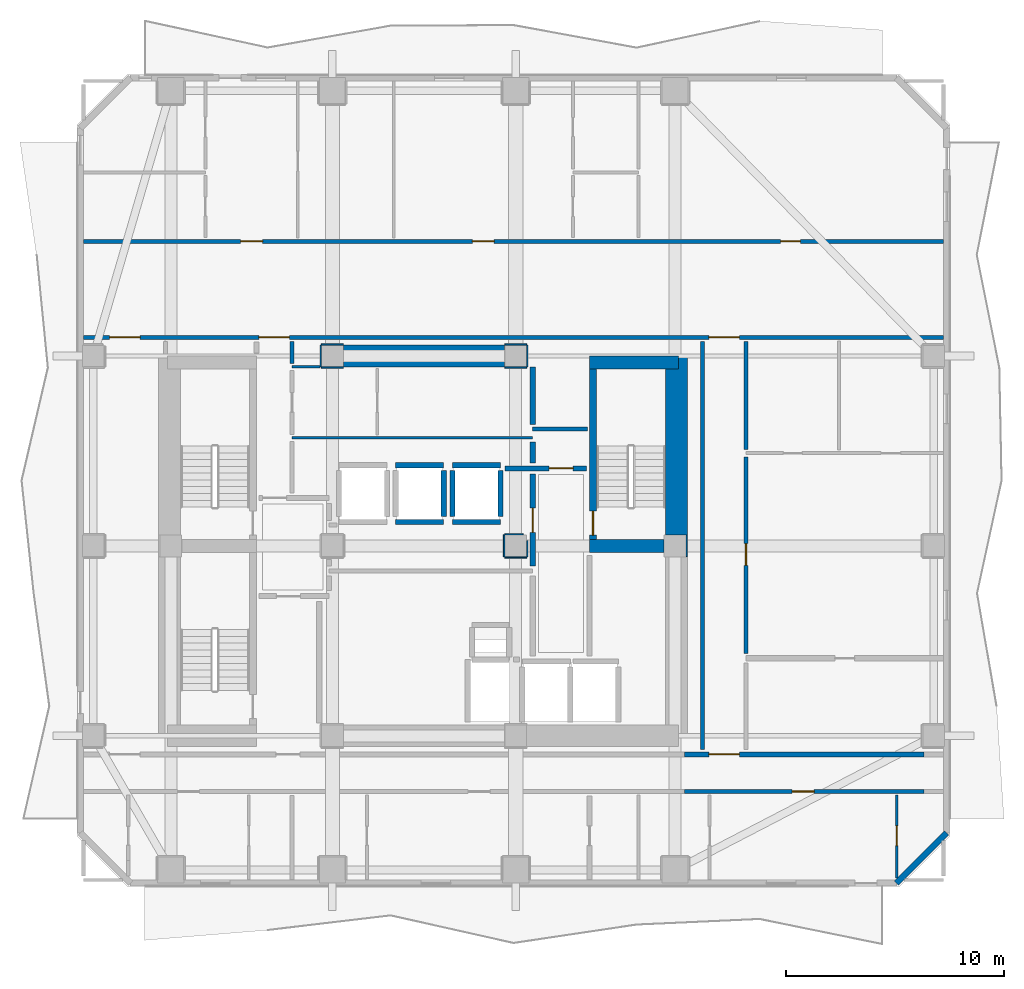
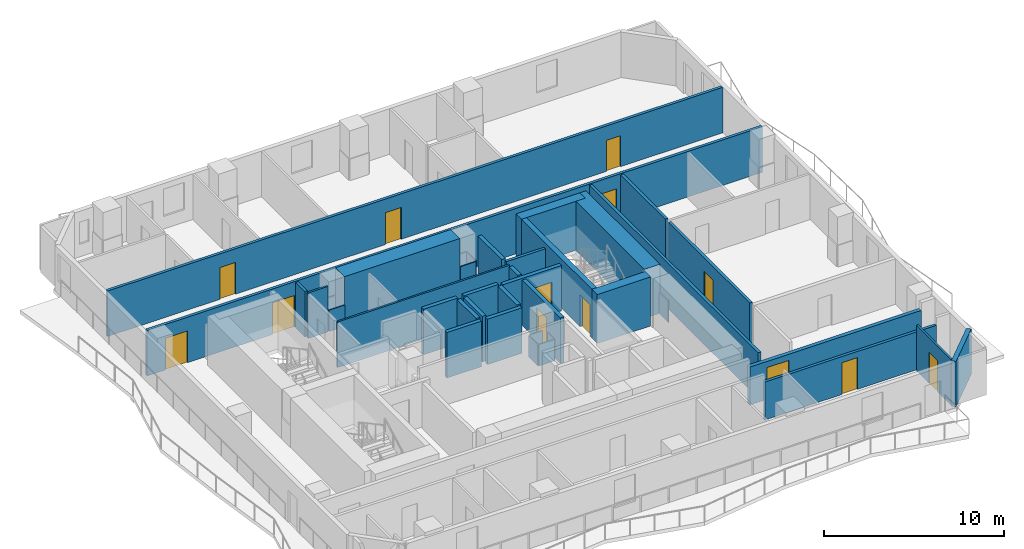
# One storey, part 4 of 9: 40 walls, 13 doors, 13 openings.
"""IFC4 building model written with IfcOpenShell, lengths in metres."""

import ifcopenshell
import ifcopenshell.guid

model = None  # the IFC model being written
_history = None  # IfcOwnerHistory: only IFC2X3 demands one
_inside = {}  # id of a spatial element -> (the spatial element, [elements in it])
_under = {}  # id of a project, library or spatial element -> (it, [spatial elements below it])
_declared = {}  # id of a project -> (the project, [libraries it declares])
_typed = {}  # id of a type object -> (the type object, [elements of that type])
_made_of = {}  # id of a material, layer set ... -> (it, [elements and type objects made of it])


def new_model(schema):
    """Start an empty IFC model of exactly this schema.

    Asked for "IFC4X3", IfcOpenShell would pick the latest addendum, in which some entities
    have other attributes; the version numbers below select the first issue.
    IFC2X3 requires an IfcOwnerHistory on every rooted entity: one is made here for all.
    """
    global model, _history
    if schema == "IFC4X3":
        model = ifcopenshell.file(schema_version=(4, 3, 0, 0))
    else:
        model = ifcopenshell.file(schema=schema)
    _inside.clear()
    _under.clear()
    _declared.clear()
    _typed.clear()
    _made_of.clear()
    _history = None
    if model.schema == "IFC2X3":
        org = make("IfcOrganization", Name="unknown")
        user = make(
            "IfcPersonAndOrganization",
            ThePerson=make("IfcPerson", FamilyName="unknown"),
            TheOrganization=org,
        )
        app = make(
            "IfcApplication",
            ApplicationDeveloper=org,
            Version="unknown",
            ApplicationFullName="unknown",
            ApplicationIdentifier="unknown",
        )
        _history = make(
            "IfcOwnerHistory",
            OwningUser=user,
            OwningApplication=app,
            ChangeAction="ADDED",
            CreationDate=0,
        )
    return model


def make(cls, **values):
    """One entity of the class cls with the attributes given. An attribute that is None is left unset."""
    return model.create_entity(
        cls, **{name: value for name, value in values.items() if value is not None}
    )


def rooted(cls, **values):
    """An entity with a GlobalId (a new one), such as an element, a storey or a relation."""
    return make(cls, GlobalId=ifcopenshell.guid.new(), OwnerHistory=_history, **values)


def si_unit(unit_type, name, prefix=None):
    """IfcSIUnit, for example si_unit("LENGTHUNIT", "METRE", prefix="MILLI")."""
    return make("IfcSIUnit", UnitType=unit_type, Prefix=prefix, Name=name)


def assignment(units):
    """IfcUnitAssignment: the units of a project."""
    return None if units is None else make("IfcUnitAssignment", Units=units)


def point(xyz):
    """IfcCartesianPoint."""
    return None if xyz is None else make("IfcCartesianPoint", Coordinates=xyz)


def direction(xyz):
    """IfcDirection."""
    return None if xyz is None else make("IfcDirection", DirectionRatios=xyz)


def frame(location, z_axis=None, x_axis=None):
    """IfcAxis2Placement3D, a coordinate frame: its origin and axes. An axis left out is left unset."""
    return make(
        "IfcAxis2Placement3D",
        Location=point(location),
        Axis=direction(z_axis),
        RefDirection=direction(x_axis),
    )


def frame_2d(location, x_axis=None):
    """IfcAxis2Placement2D, a coordinate frame in the plane: its origin and x axis."""
    return make(
        "IfcAxis2Placement2D", Location=point(location), RefDirection=direction(x_axis)
    )


def origin():
    """The frame at (0, 0, 0) with its axes left unset."""
    return frame((0.0, 0.0, 0.0))


def place(relative_to, where):
    """IfcLocalPlacement: puts the frame where relative to a parent placement (None: the world)."""
    return make(
        "IfcLocalPlacement", PlacementRelTo=relative_to, RelativePlacement=where
    )


def context(
    kind, dimensions, precision=None, world=None, true_north=None, identifier=None
):
    """IfcGeometricRepresentationContext, for example the 3D "Model" context."""
    return make(
        "IfcGeometricRepresentationContext",
        ContextIdentifier=identifier,
        ContextType=kind,
        CoordinateSpaceDimension=dimensions,
        Precision=precision,
        WorldCoordinateSystem=world,
        TrueNorth=true_north,
    )


def subcontext(parent, identifier, kind, view, scale=None):
    """IfcGeometricRepresentationSubContext, for example "Body" below "Model"."""
    return make(
        "IfcGeometricRepresentationSubContext",
        ContextIdentifier=identifier,
        ContextType=kind,
        ParentContext=parent,
        TargetScale=scale,
        TargetView=view,
    )


def project(units=None, contexts=None):
    """IfcProject with its units and contexts."""
    return rooted(
        "IfcProject",
        Name="project",
        RepresentationContexts=contexts,
        UnitsInContext=assignment(units),
    )


def spatial(cls, under=None, at=None, **own):
    """A site, building, storey or space (cls), placed at a placement, below another one or the project."""
    s = rooted(cls, ObjectPlacement=at, **own)
    if under is not None:
        _under.setdefault(under.id(), (under, []))[1].append(s)
    return s


def profile(cls, at=None, kind="AREA", **sizes):
    """A parametric profile (cls). Its sizes go by their IFC names, for example OverallWidth=200.0."""
    return make(cls, ProfileType=kind, Position=at, **sizes)


def rectangle(**sizes):
    """IfcRectangleProfileDef."""
    return profile("IfcRectangleProfileDef", **sizes)


def extrude(swept, where, along, depth):
    """IfcExtrudedAreaSolid: the profile swept, set in the frame where, extruded along a direction by depth."""
    return make(
        "IfcExtrudedAreaSolid",
        SweptArea=swept,
        Position=where,
        ExtrudedDirection=direction(along),
        Depth=depth,
    )


def shape(context_of_items, identifier, shape_type, items):
    """IfcShapeRepresentation: the items that make up one representation, for example the "Body"."""
    return make(
        "IfcShapeRepresentation",
        ContextOfItems=context_of_items,
        RepresentationIdentifier=identifier,
        RepresentationType=shape_type,
        Items=items,
    )


def material(Name=None, Category=None):
    """IfcMaterial."""
    return make("IfcMaterial", Name=Name, Category=Category)


def layer(
    of_material, thickness, ventilated=None, Name=None, Category=None, Priority=None
):
    """IfcMaterialLayer: one layer of a wall or slab, of a material (None: an air gap)."""
    return make(
        "IfcMaterialLayer",
        Material=of_material,
        LayerThickness=thickness,
        IsVentilated=ventilated,
        Name=Name,
        Category=Category,
        Priority=Priority,
    )


def layer_set(layers, Name=None):
    """IfcMaterialLayerSet."""
    return make("IfcMaterialLayerSet", MaterialLayers=layers, LayerSetName=Name)


def made_of(thing, what):
    """Note that an element or type object is made of a material, layer set ...; save() writes the relation."""
    if what is not None:
        _made_of.setdefault(what.id(), (what, []))[1].append(thing)
    return thing


def type_object(cls, material=None, **own):
    """A type object (cls), such as IfcWallType, which elements share."""
    return made_of(rooted(cls, **own), material)


def element(
    cls,
    number,
    at=None,
    inside=None,
    cuts=None,
    type_object=None,
    material=None,
    context=None,
    identifier="Body",
    shape_type=None,
    held_by="IfcProductDefinitionShape",
    body=None,
    shapes=None,
    **own,
):
    """One element of the class cls, such as IfcWall. Its Tag is "e" and its number.

    at: its placement. inside: the storey or other place that contains it. cuts: it is an
    opening in that element (IfcRelVoidsElement). A single representation is given by context,
    identifier, shape_type and body (its items); several are given by shapes. held_by: the class
    of the entity that holds the representations. save() writes the other relations.
    """
    e = rooted(cls, Tag="e%d" % number, ObjectPlacement=at, **own)
    if body is not None:
        shapes = [shape(context, identifier, shape_type, body)]
    if shapes is not None:
        e.Representation = make(held_by, Representations=shapes)
    if inside is not None:
        _inside.setdefault(inside.id(), (inside, []))[1].append(e)
    if cuts is not None:
        rooted(
            "IfcRelVoidsElement", RelatingBuildingElement=cuts, RelatedOpeningElement=e
        )
    if type_object is not None:
        _typed.setdefault(type_object.id(), (type_object, []))[1].append(e)
    return made_of(e, material)


def fill(opening, filler):
    """IfcRelFillsElement: the door or window that sits in an opening."""
    return rooted(
        "IfcRelFillsElement",
        RelatingOpeningElement=opening,
        RelatedBuildingElement=filler,
    )


def aggregate(whole, parts):
    """IfcRelAggregates: a whole, such as a stair, and the parts it consists of."""
    return rooted("IfcRelAggregates", RelatingObject=whole, RelatedObjects=parts)


def save(model, path):
    """Write the relations noted so far, then the file.

    IfcRelAggregates (storeys below a building ...), IfcRelContainedInSpatialStructure (elements
    in a storey), IfcRelDefinesByType, IfcRelAssociatesMaterial and IfcRelDeclares: one each for
    every whole, place, type object, material and project.
    """
    for whole, parts in _under.values():
        aggregate(whole, parts)
    for where, things in _inside.values():
        rooted(
            "IfcRelContainedInSpatialStructure",
            RelatedElements=things,
            RelatingStructure=where,
        )
    for kind, things in _typed.values():
        rooted("IfcRelDefinesByType", RelatedObjects=things, RelatingType=kind)
    for what, things in _made_of.values():
        rooted("IfcRelAssociatesMaterial", RelatedObjects=things, RelatingMaterial=what)
    for by, libraries in _declared.values():
        rooted("IfcRelDeclares", RelatingContext=by, RelatedDefinitions=libraries)
    model.write(path)


model = new_model("IFC4")

# Units and contexts
model_context = context("Model", 3, precision=1e-05, world=origin(), true_north=direction((0.0, 1.0)))
body_context = subcontext(model_context, "Body", "Model", "MODEL_VIEW")
ifc_project = project(units=[si_unit("LENGTHUNIT", "METRE"), si_unit("AREAUNIT", "SQUARE_METRE"), si_unit("VOLUMEUNIT", "CUBIC_METRE"), si_unit("PLANEANGLEUNIT", "RADIAN"), si_unit("MASSUNIT", "GRAM", prefix="KILO")], contexts=[model_context])

# Site, building, storey
site_placement = place(None, origin())
site = spatial("IfcSite", under=ifc_project, at=site_placement, CompositionType="ELEMENT")
building_placement = place(site_placement, origin())
building = spatial("IfcBuilding", under=site, at=building_placement, Name="Solanera Arch Residences", CompositionType="ELEMENT")
storey_placement = place(building_placement, frame((0.0, 0.0, 152.56005859375)))
storey = spatial("IfcBuildingStorey", under=building, at=storey_placement, Name="L44", CompositionType="ELEMENT", Elevation=152.56005859375)

# Walls
ifc_material_1 = material(Name="Fire-Rated Gypsum Stud Partition", Category="gypsum")
ifc_layer_1 = layer(ifc_material_1, 0.06005859375)
ifc_layer_set_1 = layer_set([ifc_layer_1], Name="Fire-Rated Gypsum Stud Partition")
wall_type_1 = type_object("IfcWallType", Name="Column Acoustic Furring Wall 60", PredefinedType="PARTITIONING", material=ifc_layer_set_1)
for number, where, z_axis, x_axis, name in (
    (1, (20.300048828125, 38.867919921875, 0.0), (0.0, 0.0, 1.0), (1.0, 0.0, 0.0), "L44 Column Furring 3S"),
    (2, (20.300048828125, 39.931884765625, 0.0), (0.0, 0.0, 1.0), (1.0, 0.0, 0.0), "L44 Column Furring 3N"),
    (3, (20.26806640625, 38.89990234375, 0.0), (0.0, 0.0, 1.0), (0.0, 1.0, 0.0), "L44 Column Furring 3W"),
    (4, (28.699951171875, 38.867919921875, 0.0), (0.0, 0.0, 1.0), (1.0, 0.0, 0.0), "L44 Column Furring 4S"),
    (5, (28.699951171875, 39.931884765625, 0.0), (0.0, 0.0, 1.0), (1.0, 0.0, 0.0), "L44 Column Furring 4N"),
    (6, (29.73193359375, 38.89990234375, 0.0), (0.0, 0.0, 1.0), (0.0, 1.0, 0.0), "L44 Column Furring 4E"),
):
    element("IfcWall", number, at=place(storey_placement, frame(where, z_axis=z_axis, x_axis=x_axis)), inside=storey, type_object=wall_type_1, Name=name, PredefinedType="PARTITIONING", context=body_context, shape_type="SweptSolid", body=[
        extrude(rectangle(XDim=1.0, YDim=0.06005859375, at=frame_2d((0.5, 0.0))), origin(), (0.0, 0.0, 1.0), 1.449951171875),
    ])
wall_1_placement = place(storey_placement, frame((37.031982421875, 30.2099609375, 0.0), z_axis=(0.0, 0.0, 1.0), x_axis=(0.0, 1.0, 0.0)))
element("IfcWall", 7, at=wall_1_placement, inside=storey, type_object=wall_type_1, Name="L44 Column Furring 6E", PredefinedType="PARTITIONING", context=body_context, shape_type="SweptSolid", body=[
    extrude(rectangle(XDim=0.97998046875, YDim=0.06005859375, at=frame_2d((0.489990234375, 0.0))), origin(), (0.0, 0.0, 1.0), 1.449951171875),
])
wall_2_placement = place(storey_placement, frame((28.699951171875, 30.16796875, 0.0), z_axis=(0.0, 0.0, 1.0), x_axis=(1.0, 0.0, 0.0)))
element("IfcWall", 8, at=wall_2_placement, inside=storey, type_object=wall_type_1, Name="L44 Column Furring 8S", PredefinedType="PARTITIONING", context=body_context, shape_type="SweptSolid", body=[
    extrude(rectangle(XDim=1.0, YDim=0.06005859375, at=frame_2d((0.5, 0.0))), origin(), (0.0, 0.0, 1.0), 1.449951171875),
])
wall_3_placement = place(storey_placement, frame((28.699951171875, 31.23193359375, 0.0), z_axis=(0.0, 0.0, 1.0), x_axis=(1.0, 0.0, 0.0)))
element("IfcWall", 9, at=wall_3_placement, inside=storey, type_object=wall_type_1, Name="L44 Column Furring 8N", PredefinedType="PARTITIONING", context=body_context, shape_type="SweptSolid", body=[
    extrude(rectangle(XDim=0.8349609375, YDim=0.06005859375, at=frame_2d((0.41748046875, 0.0))), origin(), (0.0, 0.0, 1.0), 1.449951171875),
])
wall_4_placement = place(storey_placement, frame((28.66796875, 30.199951171875, 0.0), z_axis=(0.0, 0.0, 1.0), x_axis=(0.0, 1.0, 0.0)))
element("IfcWall", 10, at=wall_4_placement, inside=storey, type_object=wall_type_1, Name="L44 Column Furring 8W", PredefinedType="PARTITIONING", context=body_context, shape_type="SweptSolid", body=[
    extrude(rectangle(XDim=1.0, YDim=0.06005859375, at=frame_2d((0.5, 0.0))), origin(), (0.0, 0.0, 1.0), 1.449951171875),
])
wall_5_placement = place(storey_placement, frame((29.73193359375, 30.199951171875, 0.0), z_axis=(0.0, 0.0, 1.0), x_axis=(0.0, 1.0, 0.0)))
element("IfcWall", 11, at=wall_5_placement, inside=storey, type_object=wall_type_1, Name="L44 Column Furring 8E", PredefinedType="PARTITIONING", context=body_context, shape_type="SweptSolid", body=[
    extrude(rectangle(XDim=0.7470703125, YDim=0.06005859375, at=frame_2d((0.37353515625, 0.0))), origin(), (0.0, 0.0, 1.0), 1.449951171875),
])
ifc_material_2 = material(Name="Concrete C55/67 (f'c = 60 MPa)", Category="concrete")
ifc_layer_2 = layer(ifc_material_2, 1.0)
ifc_layer_set_2 = layer_set([ifc_layer_2], Name="Concrete C55/67 (f'c = 60 MPa)")
wall_type_2 = type_object("IfcWallType", Name="Core Shear Wall CW-1000", PredefinedType="SHEAR", material=ifc_layer_set_2)
wall_6_placement = place(storey_placement, frame((36.56005859375, 31.205078125, 0.0), z_axis=(0.0, 0.0, 1.0), x_axis=(0.0, 1.0, 0.0)))
element("IfcWall", 12, at=wall_6_placement, inside=storey, type_object=wall_type_2, Name="L44 East Core North Shear Wall", PredefinedType="SHEAR", context=body_context, shape_type="SweptSolid", body=[
    extrude(rectangle(XDim=8.19482421875, YDim=1.0, at=frame_2d((4.097412109375, 0.0))), origin(), (0.0, 0.0, 1.0), 3.31982421875),
])
wall_7_placement = place(storey_placement, frame((21.304931640625, 39.39990234375, 0.0), z_axis=(0.0, 0.0, 1.0), x_axis=(1.0, 0.0, 0.0)))
element("IfcWall", 13, at=wall_7_placement, inside=storey, type_object=wall_type_2, Name="L44 Central North Core Shear Wall", PredefinedType="SHEAR", context=body_context, shape_type="SweptSolid", body=[
    extrude(rectangle(XDim=7.39013671875, YDim=1.0, at=frame_2d((3.695068359375, 0.0))), origin(), (0.0, 0.0, 1.0), 3.31982421875),
])

# Wall, opening, door
ifc_material_3 = material(Name="Concrete C40/50 (f'c = 45 MPa)", Category="concrete")
ifc_layer_3 = layer(ifc_material_3, 0.320068359375)
ifc_layer_set_3 = layer_set([ifc_layer_3], Name="Concrete C40/50 (f'c = 45 MPa)")
wall_type_3 = type_object("IfcWallType", Name="Core Shear Wall CW-320", PredefinedType="SHEAR", material=ifc_layer_set_3)
wall_8_placement = place(storey_placement, frame((32.739990234375, 31.0, 0.0), z_axis=(0.0, 0.0, 1.0), x_axis=(0.0, 1.0, 0.0)))
wall_8 = element("IfcWall", 14, at=wall_8_placement, inside=storey, type_object=wall_type_3, Name="L44 Stair ST-T2 West Shear Wall", PredefinedType="SHEAR", context=body_context, shape_type="SweptSolid", body=[
    extrude(rectangle(XDim=7.800048828125, YDim=0.320068359375, at=frame_2d((3.89990234375, 0.0))), origin(), (0.0, 0.0, 1.0), 3.31982421875),
])
opening_1_placement = place(wall_8_placement, frame((0.18994140625, 0.0, 0.0)))
opening_1 = element("IfcOpeningElement", 15, at=opening_1_placement, cuts=wall_8, Name="Opening DF-01", PredefinedType="OPENING", context=body_context, shape_type="SweptSolid", body=[
    extrude(rectangle(XDim=1.10009765625, YDim=2.14990234375, at=frame_2d((0.550048828125, 1.074951171875))), frame((0.0, 0.169921875, 0.0), z_axis=(0.0, -1.0, 0.0), x_axis=(1.0, 0.0, 0.0)), (0.0, 0.0, 1.0), 0.3401),
])
ifc_material_4 = material(Name="Fire-Rated Architectural Hardwood", Category="wood")
door_type_1 = type_object("IfcDoorType", Name="Stair Exit Fire Door DF-01", OperationType="NOTDEFINED", PredefinedType="DOOR", material=ifc_material_4)
door_1_placement = place(opening_1_placement, origin())
door_1 = element("IfcDoor", 16, at=door_1_placement, inside=storey, type_object=door_type_1, Name="DR-L44-STAIR-ST-T2", OperationType="SINGLE_SWING_LEFT", OverallHeight=2.14990234375, OverallWidth=1.10009765625, PredefinedType="DOOR", context=body_context, shape_type="SweptSolid", body=[
    extrude(rectangle(XDim=1.10009765625, YDim=2.14990234375, at=frame_2d((0.550048828125, 1.074951171875))), frame((0.0, 0.02490234375, 0.0), z_axis=(0.0, -1.0, 0.0), x_axis=(1.0, 0.0, 0.0)), (0.0, 0.0, 1.0), 0.050048828125),
])
fill(opening_1, door_1)

# Walls
ifc_material_5 = material(Name="Concrete C40/50 (f'c = 45 MPa)", Category="concrete")
ifc_layer_4 = layer(ifc_material_5, 0.60009765625)
ifc_layer_set_4 = layer_set([ifc_layer_4], Name="Concrete C40/50 (f'c = 45 MPa)")
wall_type_4 = type_object("IfcWallType", Name="Core Shear Wall CW-600", PredefinedType="SHEAR", material=ifc_layer_set_4)
wall_9_placement = place(storey_placement, frame((32.580078125, 39.10009765625, 0.0), z_axis=(0.0, 0.0, 1.0), x_axis=(1.0, 0.0, 0.0)))
element("IfcWall", 17, at=wall_9_placement, inside=storey, type_object=wall_type_4, Name="L44 North-East Core Shear Wall", PredefinedType="SHEAR", context=body_context, shape_type="SweptSolid", body=[
    extrude(rectangle(XDim=4.079833984375, YDim=0.60009765625, at=frame_2d((2.0400390625, 0.0))), origin(), (0.0, 0.0, 1.0), 3.31982421875),
])
wall_10_placement = place(storey_placement, frame((32.580078125, 30.699951171875, 0.0), z_axis=(0.0, 0.0, 1.0), x_axis=(1.0, 0.0, 0.0)))
element("IfcWall", 18, at=wall_10_placement, inside=storey, type_object=wall_type_4, Name="L44 East Stair Far-Landing Shear Wall", PredefinedType="SHEAR", context=body_context, shape_type="SweptSolid", body=[
    extrude(rectangle(XDim=3.4150390625, YDim=0.60009765625, at=frame_2d((1.70751953125, 0.0))), origin(), (0.0, 0.0, 1.0), 3.31982421875),
])

# Wall, opening, door
ifc_material_6 = material(Name="Autoclaved Aerated Concrete Blockwork", Category="masonry")
ifc_layer_5 = layer(ifc_material_6, 0.179931640625)
ifc_layer_set_5 = layer_set([ifc_layer_5], Name="Autoclaved Aerated Concrete Blockwork")
wall_type_5 = type_object("IfcWallType", Name="Corridor Fire Partition 180", PredefinedType="PARTITIONING", material=ifc_layer_set_5)
wall_11_placement = place(storey_placement, frame((36.93896484375, 19.449951171875, 0.0), z_axis=(0.0, 0.0, 1.0), x_axis=(1.0, 0.0, 0.0)))
wall_11 = element("IfcWall", 19, at=wall_11_placement, inside=storey, type_object=wall_type_5, Name="L44 Interior Partition H7 2", PredefinedType="PARTITIONING", context=body_context, shape_type="SweptSolid", body=[
    extrude(rectangle(XDim=10.971923828125, YDim=0.179931640625, at=frame_2d((5.48583984375, 0.0))), origin(), (0.0, 0.0, 1.0), 2.56494140625),
])
opening_2_placement = place(wall_11_placement, frame((4.926025390625, 0.0, 0.0)))
opening_2 = element("IfcOpeningElement", 20, at=opening_2_placement, cuts=wall_11, Name="Opening DI-01", PredefinedType="OPENING", context=body_context, shape_type="SweptSolid", body=[
    extrude(rectangle(XDim=1.0, YDim=2.14990234375, at=frame_2d((0.5, 1.074951171875))), frame((0.0, 0.10009765625, 0.0), z_axis=(0.0, -1.0, 0.0), x_axis=(1.0, 0.0, 0.0)), (0.0, 0.0, 1.0), 0.1999),
])
ifc_material_7 = material(Name="Fire-Rated Architectural Hardwood", Category="wood")
door_type_2 = type_object("IfcDoorType", Name="Unit Entrance Fire Door DI-01", OperationType="NOTDEFINED", PredefinedType="DOOR", material=ifc_material_7)
door_2_placement = place(opening_2_placement, origin())
door_2 = element("IfcDoor", 21, at=door_2_placement, inside=storey, type_object=door_type_2, Name="DR-L44-IN-022", OperationType="SINGLE_SWING_LEFT", OverallHeight=2.14990234375, OverallWidth=1.0, PredefinedType="DOOR", context=body_context, shape_type="SweptSolid", body=[
    extrude(rectangle(XDim=1.0, YDim=2.14990234375, at=frame_2d((0.5, 1.074951171875))), frame((0.0, 0.02490234375, 0.0), z_axis=(0.0, -1.0, 0.0), x_axis=(1.0, 0.0, 0.0)), (0.0, 0.0, 1.0), 0.050048828125),
])
fill(opening_2, door_2)

# Wall
wall_12_placement = place(storey_placement, frame((29.97509765625, 36.050048828125, 0.0), z_axis=(0.0, 0.0, 1.0), x_axis=(1.0, 0.0, 0.0)))
element("IfcWall", 22, at=wall_12_placement, inside=storey, type_object=wall_type_5, Name="L44 Interior Partition H10", PredefinedType="PARTITIONING", context=body_context, shape_type="SweptSolid", body=[
    extrude(rectangle(XDim=2.5048828125, YDim=0.179931640625, at=frame_2d((1.25244140625, 0.0))), origin(), (0.0, 0.0, 1.0), 3.079833984375),
])

# Wall, openings, doors
wall_13_placement = place(storey_placement, frame((9.406982421875, 40.25, 0.0), z_axis=(0.0, 0.0, 1.0), x_axis=(1.0, 0.0, 0.0)))
wall_13 = element("IfcWall", 23, at=wall_13_placement, inside=storey, type_object=wall_type_5, Name="L44 Interior Partition H11", PredefinedType="PARTITIONING", context=body_context, shape_type="SweptSolid", body=[
    extrude(rectangle(XDim=39.385986328125, YDim=0.179931640625, at=frame_2d((19.69287109375, 0.0))), origin(), (0.0, 0.0, 1.0), 3.079833984375),
])
opening_3_placement = place(wall_13_placement, frame((8.028076171875, 0.0, 0.0)))
opening_3 = element("IfcOpeningElement", 24, at=opening_3_placement, cuts=wall_13, Name="Opening DF-03", PredefinedType="OPENING", context=body_context, shape_type="SweptSolid", body=[
    extrude(rectangle(XDim=1.39990234375, YDim=2.14990234375, at=frame_2d((0.699951171875, 1.074951171875))), frame((0.0, 0.10009765625, 0.0), z_axis=(0.0, -1.0, 0.0), x_axis=(1.0, 0.0, 0.0)), (0.0, 0.0, 1.0), 0.1999),
])
opening_4_placement = place(wall_13_placement, frame((1.19189453125, 0.0, 0.0)))
opening_4 = element("IfcOpeningElement", 25, at=opening_4_placement, cuts=wall_13, Name="Opening DF-03", PredefinedType="OPENING", context=body_context, shape_type="SweptSolid", body=[
    extrude(rectangle(XDim=1.39990234375, YDim=2.14990234375, at=frame_2d((0.699951171875, 1.074951171875))), frame((0.0, 0.10009765625, 0.0), z_axis=(0.0, -1.0, 0.0), x_axis=(1.0, 0.0, 0.0)), (0.0, 0.0, 1.0), 0.1999),
])
opening_5_placement = place(wall_13_placement, frame((28.64306640625, 0.0, 0.0)))
opening_5 = element("IfcOpeningElement", 26, at=opening_5_placement, cuts=wall_13, Name="Opening DF-03", PredefinedType="OPENING", context=body_context, shape_type="SweptSolid", body=[
    extrude(rectangle(XDim=1.39990234375, YDim=2.14990234375, at=frame_2d((0.699951171875, 1.074951171875))), frame((0.0, 0.10009765625, 0.0), z_axis=(0.0, -1.0, 0.0), x_axis=(1.0, 0.0, 0.0)), (0.0, 0.0, 1.0), 0.1999),
])
ifc_material_8 = material(Name="Fire-Rated Architectural Hardwood", Category="wood")
door_type_3 = type_object("IfcDoorType", Name="Corridor Smoke Door DF-03", OperationType="NOTDEFINED", PredefinedType="DOOR", material=ifc_material_8)
door_3_placement = place(opening_3_placement, origin())
door_3 = element("IfcDoor", 27, at=door_3_placement, inside=storey, type_object=door_type_3, Name="DR-L44-IN-009", OperationType="SINGLE_SWING_RIGHT", OverallHeight=2.14990234375, OverallWidth=1.39990234375, PredefinedType="DOOR", context=body_context, shape_type="SweptSolid", body=[
    extrude(rectangle(XDim=1.39990234375, YDim=2.14990234375, at=frame_2d((0.699951171875, 1.074951171875))), frame((0.0, 0.02490234375, 0.0), z_axis=(0.0, -1.0, 0.0), x_axis=(1.0, 0.0, 0.0)), (0.0, 0.0, 1.0), 0.050048828125),
])
fill(opening_3, door_3)
door_4_placement = place(opening_4_placement, origin())
door_4 = element("IfcDoor", 28, at=door_4_placement, inside=storey, type_object=door_type_3, Name="DR-L44-IN-012", OperationType="SINGLE_SWING_LEFT", OverallHeight=2.14990234375, OverallWidth=1.39990234375, PredefinedType="DOOR", context=body_context, shape_type="SweptSolid", body=[
    extrude(rectangle(XDim=1.39990234375, YDim=2.14990234375, at=frame_2d((0.699951171875, 1.074951171875))), frame((0.0, 0.02490234375, 0.0), z_axis=(0.0, -1.0, 0.0), x_axis=(1.0, 0.0, 0.0)), (0.0, 0.0, 1.0), 0.050048828125),
])
fill(opening_4, door_4)
door_5_placement = place(opening_5_placement, origin())
door_5 = element("IfcDoor", 29, at=door_5_placement, inside=storey, type_object=door_type_3, Name="DR-L44-IN-013", OperationType="SINGLE_SWING_RIGHT", OverallHeight=2.14990234375, OverallWidth=1.39990234375, PredefinedType="DOOR", context=body_context, shape_type="SweptSolid", body=[
    extrude(rectangle(XDim=1.39990234375, YDim=2.14990234375, at=frame_2d((0.699951171875, 1.074951171875))), frame((0.0, 0.02490234375, 0.0), z_axis=(0.0, -1.0, 0.0), x_axis=(1.0, 0.0, 0.0)), (0.0, 0.0, 1.0), 0.050048828125),
])
fill(opening_5, door_5)

wall_14_placement = place(storey_placement, frame((9.406982421875, 44.64990234375, 0.0), z_axis=(0.0, 0.0, 1.0), x_axis=(1.0, 0.0, 0.0)))
wall_14 = element("IfcWall", 30, at=wall_14_placement, inside=storey, type_object=wall_type_5, Name="L44 Interior Partition H12", PredefinedType="PARTITIONING", context=body_context, shape_type="SweptSolid", body=[
    extrude(rectangle(XDim=39.385986328125, YDim=0.179931640625, at=frame_2d((19.69287109375, 0.0))), origin(), (0.0, 0.0, 1.0), 3.079833984375),
])
opening_6_placement = place(wall_14_placement, frame((7.193115234375, 0.0, 0.0)))
opening_6 = element("IfcOpeningElement", 31, at=opening_6_placement, cuts=wall_14, Name="Opening DI-01", PredefinedType="OPENING", context=body_context, shape_type="SweptSolid", body=[
    extrude(rectangle(XDim=1.0, YDim=2.14990234375, at=frame_2d((0.5, 1.074951171875))), frame((0.0, 0.10009765625, 0.0), z_axis=(0.0, -1.0, 0.0), x_axis=(1.0, 0.0, 0.0)), (0.0, 0.0, 1.0), 0.1999),
])
opening_7_placement = place(wall_14_placement, frame((17.80810546875, 0.0, 0.0)))
opening_7 = element("IfcOpeningElement", 32, at=opening_7_placement, cuts=wall_14, Name="Opening DI-01", PredefinedType="OPENING", context=body_context, shape_type="SweptSolid", body=[
    extrude(rectangle(XDim=1.0, YDim=2.14990234375, at=frame_2d((0.5, 1.074951171875))), frame((0.0, 0.10009765625, 0.0), z_axis=(0.0, -1.0, 0.0), x_axis=(1.0, 0.0, 0.0)), (0.0, 0.0, 1.0), 0.1999),
])
opening_8_placement = place(wall_14_placement, frame((31.928955078125, 0.0, 0.0)))
opening_8 = element("IfcOpeningElement", 33, at=opening_8_placement, cuts=wall_14, Name="Opening DI-02", PredefinedType="OPENING", context=body_context, shape_type="SweptSolid", body=[
    extrude(rectangle(XDim=0.89990234375, YDim=2.10009765625, at=frame_2d((0.449951171875, 1.050048828125))), frame((0.0, 0.10009765625, 0.0), z_axis=(0.0, -1.0, 0.0), x_axis=(1.0, 0.0, 0.0)), (0.0, 0.0, 1.0), 0.1999),
])
ifc_material_9 = material(Name="Fire-Rated Architectural Hardwood", Category="wood")
door_type_4 = type_object("IfcDoorType", Name="Suite Room Swing Door DI-02", OperationType="NOTDEFINED", PredefinedType="DOOR", material=ifc_material_9)
door_6_placement = place(opening_8_placement, origin())
door_6 = element("IfcDoor", 34, at=door_6_placement, inside=storey, type_object=door_type_4, Name="DR-L44-IN-032", OperationType="SINGLE_SWING_LEFT", OverallHeight=2.10009765625, OverallWidth=0.89990234375, PredefinedType="DOOR", context=body_context, shape_type="SweptSolid", body=[
    extrude(rectangle(XDim=0.89990234375, YDim=2.10009765625, at=frame_2d((0.449951171875, 1.050048828125))), frame((0.0, 0.02490234375, 0.0), z_axis=(0.0, -1.0, 0.0), x_axis=(1.0, 0.0, 0.0)), (0.0, 0.0, 1.0), 0.050048828125),
])
fill(opening_8, door_6)
door_7_placement = place(opening_6_placement, origin())
door_7 = element("IfcDoor", 35, at=door_7_placement, inside=storey, type_object=door_type_2, Name="DR-L44-IN-025", OperationType="SINGLE_SWING_RIGHT", OverallHeight=2.14990234375, OverallWidth=1.0, PredefinedType="DOOR", context=body_context, shape_type="SweptSolid", body=[
    extrude(rectangle(XDim=1.0, YDim=2.14990234375, at=frame_2d((0.5, 1.074951171875))), frame((0.0, 0.02490234375, 0.0), z_axis=(0.0, -1.0, 0.0), x_axis=(1.0, 0.0, 0.0)), (0.0, 0.0, 1.0), 0.050048828125),
])
fill(opening_6, door_7)
door_8_placement = place(opening_7_placement, origin())
door_8 = element("IfcDoor", 36, at=door_8_placement, inside=storey, type_object=door_type_2, Name="DR-L44-IN-029", OperationType="SINGLE_SWING_RIGHT", OverallHeight=2.14990234375, OverallWidth=1.0, PredefinedType="DOOR", context=body_context, shape_type="SweptSolid", body=[
    extrude(rectangle(XDim=1.0, YDim=2.14990234375, at=frame_2d((0.5, 1.074951171875))), frame((0.0, 0.02490234375, 0.0), z_axis=(0.0, -1.0, 0.0), x_axis=(1.0, 0.0, 0.0)), (0.0, 0.0, 1.0), 0.050048828125),
])
fill(opening_7, door_8)

# Walls
wall_15_placement = place(storey_placement, frame((18.949951171875, 39.05810546875, 0.0), z_axis=(0.0, 0.0, 1.0), x_axis=(0.0, 1.0, 0.0)))
element("IfcWall", 37, at=wall_15_placement, inside=storey, type_object=wall_type_5, Name="L44 Interior Partition V10 3", PredefinedType="PARTITIONING", context=body_context, shape_type="SweptSolid", body=[
    extrude(rectangle(XDim=1.00390625, YDim=0.179931640625, at=frame_2d((0.501953125, 0.0))), origin(), (0.0, 0.0, 1.0), 3.079833984375),
])
wall_16_placement = place(storey_placement, frame((37.75, 21.367919921875, 0.0), z_axis=(0.0, 0.0, 1.0), x_axis=(0.0, 1.0, 0.0)))
element("IfcWall", 38, at=wall_16_placement, inside=storey, type_object=wall_type_5, Name="L44 Interior Partition V12", PredefinedType="PARTITIONING", context=body_context, shape_type="SweptSolid", body=[
    extrude(rectangle(XDim=18.694091796875, YDim=0.179931640625, at=frame_2d((9.34716796875, 0.0))), origin(), (0.0, 0.0, 1.0), 3.079833984375),
])

# Wall, opening, door
wall_17_placement = place(storey_placement, frame((39.75, 25.76806640625, 0.0), z_axis=(0.0, 0.0, 1.0), x_axis=(0.0, 1.0, 0.0)))
wall_17 = element("IfcWall", 39, at=wall_17_placement, inside=storey, type_object=wall_type_5, Name="L44 Interior Partition V13 2", PredefinedType="PARTITIONING", context=body_context, shape_type="SweptSolid", body=[
    extrude(rectangle(XDim=9.013916015625, YDim=0.179931640625, at=frame_2d((4.5068359375, 0.0))), origin(), (0.0, 0.0, 1.0), 3.079833984375),
])
opening_9_placement = place(wall_17_placement, frame((4.041015625, 0.0, 0.0)))
opening_9 = element("IfcOpeningElement", 40, at=opening_9_placement, cuts=wall_17, Name="Opening DI-01", PredefinedType="OPENING", context=body_context, shape_type="SweptSolid", body=[
    extrude(rectangle(XDim=1.0, YDim=2.14990234375, at=frame_2d((0.5, 1.074951171875))), frame((0.0, 0.10009765625, 0.0), z_axis=(0.0, -1.0, 0.0), x_axis=(1.0, 0.0, 0.0)), (0.0, 0.0, 1.0), 0.1999),
])
door_9_placement = place(opening_9_placement, origin())
door_9 = element("IfcDoor", 41, at=door_9_placement, inside=storey, type_object=door_type_2, Name="DR-L44-IN-033", OperationType="SINGLE_SWING_RIGHT", OverallHeight=2.14990234375, OverallWidth=1.0, PredefinedType="DOOR", context=body_context, shape_type="SweptSolid", body=[
    extrude(rectangle(XDim=1.0, YDim=2.14990234375, at=frame_2d((0.5, 1.074951171875))), frame((0.0, 0.02490234375, 0.0), z_axis=(0.0, -1.0, 0.0), x_axis=(1.0, 0.0, 0.0)), (0.0, 0.0, 1.0), 0.050048828125),
])
fill(opening_9, door_9)

# Walls
wall_18_placement = place(storey_placement, frame((39.75, 35.117919921875, 0.0), z_axis=(0.0, 0.0, 1.0), x_axis=(0.0, 1.0, 0.0)))
element("IfcWall", 42, at=wall_18_placement, inside=storey, type_object=wall_type_5, Name="L44 Interior Partition V13 3", PredefinedType="PARTITIONING", context=body_context, shape_type="SweptSolid", body=[
    extrude(rectangle(XDim=4.944091796875, YDim=0.179931640625, at=frame_2d((2.47216796875, 0.0))), origin(), (0.0, 0.0, 1.0), 3.079833984375),
])
ifc_material_10 = material(Name="Precast Concrete C35/45", Category="concrete")
ifc_layer_6 = layer(ifc_material_10, 0.280029296875)
ifc_layer_set_6 = layer_set([ifc_layer_6], Name="Precast Concrete C35/45")
wall_type_6 = type_object("IfcWallType", Name="Exterior Wall Precast Masonry-Frame 280", PredefinedType="STANDARD", material=ifc_layer_set_6)
wall_19_placement = place(storey_placement, frame((48.945068359375, 17.554931640625, 0.0), z_axis=(0.0, 0.0, 1.0), x_axis=(-0.707106781187, -0.707106781187, 0.0)))
element("IfcWall", 43, at=wall_19_placement, inside=storey, type_object=wall_type_6, Name="L44 Tower Exterior Precast Masonry-Frame Wall CH5", PredefinedType="STANDARD", context=body_context, shape_type="SweptSolid", body=[
    extrude(rectangle(XDim=3.252685546875, YDim=0.280029296875, at=frame_2d((1.62646484375, 0.0))), origin(), (0.0, 0.0, 1.0), 3.079833984375),
])
ifc_material_11 = material(Name="Autoclaved Aerated Concrete Blockwork", Category="masonry")
ifc_layer_7 = layer(ifc_material_11, 0.239990234375)
ifc_layer_set_7 = layer_set([ifc_layer_7], Name="Autoclaved Aerated Concrete Blockwork")
wall_type_7 = type_object("IfcWallType", Name="Shaft Wall Fire-Rated 240", PredefinedType="PARTITIONING", material=ifc_layer_set_7)
for number, where, z_axis, x_axis, name in (
    (44, (23.699951171875, 31.800048828125, 0.0), (0.0, 0.0, 1.0), (1.0, 0.0, 0.0), "L44 Lift PL-M2 Hoistway Wall S"),
    (45, (23.699951171875, 34.39990234375, 0.0), (0.0, 0.0, 1.0), (1.0, 0.0, 0.0), "L44 Lift PL-M2 Hoistway Wall N"),
):
    element("IfcWall", number, at=place(storey_placement, frame(where, z_axis=z_axis, x_axis=x_axis)), inside=storey, type_object=wall_type_7, Name=name, PredefinedType="PARTITIONING", context=body_context, shape_type="SweptSolid", body=[
        extrude(rectangle(XDim=2.199951171875, YDim=0.239990234375, at=frame_2d((1.10009765625, 0.0))), origin(), (0.0, 0.0, 1.0), 3.079833984375),
    ])
wall_20_placement = place(storey_placement, frame((25.89990234375, 32.048095703125, 0.0), z_axis=(0.0, 0.0, 1.0), x_axis=(0.0, 1.0, 0.0)))
element("IfcWall", 46, at=wall_20_placement, inside=storey, type_object=wall_type_7, Name="L44 Lift PL-M2 Hoistway Wall E", PredefinedType="PARTITIONING", context=body_context, shape_type="SweptSolid", body=[
    extrude(rectangle(XDim=2.10400390625, YDim=0.239990234375, at=frame_2d((1.052001953125, 0.0))), origin(), (0.0, 0.0, 1.0), 3.079833984375),
])
for number, where, z_axis, x_axis, name in (
    (47, (26.300048828125, 31.800048828125, 0.0), (0.0, 0.0, 1.0), (1.0, 0.0, 0.0), "L44 Lift PL-M3 Hoistway Wall S"),
    (48, (26.300048828125, 34.39990234375, 0.0), (0.0, 0.0, 1.0), (1.0, 0.0, 0.0), "L44 Lift PL-M3 Hoistway Wall N"),
):
    element("IfcWall", number, at=place(storey_placement, frame(where, z_axis=z_axis, x_axis=x_axis)), inside=storey, type_object=wall_type_7, Name=name, PredefinedType="PARTITIONING", context=body_context, shape_type="SweptSolid", body=[
        extrude(rectangle(XDim=2.199951171875, YDim=0.239990234375, at=frame_2d((1.10009765625, 0.0))), origin(), (0.0, 0.0, 1.0), 3.079833984375),
    ])
for number, where, z_axis, x_axis, name in (
    (49, (26.300048828125, 32.048095703125, 0.0), (0.0, 0.0, 1.0), (0.0, 1.0, 0.0), "L44 Lift PL-M3 Hoistway Wall W"),
    (50, (28.5, 32.048095703125, 0.0), (0.0, 0.0, 1.0), (0.0, 1.0, 0.0), "L44 Lift PL-M3 Hoistway Wall E"),
):
    element("IfcWall", number, at=place(storey_placement, frame(where, z_axis=z_axis, x_axis=x_axis)), inside=storey, type_object=wall_type_7, Name=name, PredefinedType="PARTITIONING", context=body_context, shape_type="SweptSolid", body=[
        extrude(rectangle(XDim=2.10400390625, YDim=0.239990234375, at=frame_2d((1.052001953125, 0.0))), origin(), (0.0, 0.0, 1.0), 3.079833984375),
    ])

# Wall, opening, door
wall_21_placement = place(storey_placement, frame((36.93896484375, 21.14990234375, 0.0), z_axis=(0.0, 0.0, 1.0), x_axis=(1.0, 0.0, 0.0)))
wall_21 = element("IfcWall", 51, at=wall_21_placement, inside=storey, type_object=wall_type_7, Name="L44 Interior Partition H1 2", PredefinedType="PARTITIONING", context=body_context, shape_type="SweptSolid", body=[
    extrude(rectangle(XDim=10.971923828125, YDim=0.239990234375, at=frame_2d((5.48583984375, 0.0))), origin(), (0.0, 0.0, 1.0), 2.56494140625),
])
opening_10_placement = place(wall_21_placement, frame((1.111083984375, 0.0, 0.0)))
opening_10 = element("IfcOpeningElement", 52, at=opening_10_placement, cuts=wall_21, Name="Opening DF-03", PredefinedType="OPENING", context=body_context, shape_type="SweptSolid", body=[
    extrude(rectangle(XDim=1.39990234375, YDim=2.14990234375, at=frame_2d((0.699951171875, 1.074951171875))), frame((0.0, 0.1298828125, 0.0), z_axis=(0.0, -1.0, 0.0), x_axis=(1.0, 0.0, 0.0)), (0.0, 0.0, 1.0), 0.26),
])
door_10_placement = place(opening_10_placement, origin())
door_10 = element("IfcDoor", 53, at=door_10_placement, inside=storey, type_object=door_type_3, Name="DR-L44-IN-011", OperationType="SINGLE_SWING_RIGHT", OverallHeight=2.14990234375, OverallWidth=1.39990234375, PredefinedType="DOOR", context=body_context, shape_type="SweptSolid", body=[
    extrude(rectangle(XDim=1.39990234375, YDim=2.14990234375, at=frame_2d((0.699951171875, 1.074951171875))), frame((0.0, 0.02490234375, 0.0), z_axis=(0.0, -1.0, 0.0), x_axis=(1.0, 0.0, 0.0)), (0.0, 0.0, 1.0), 0.050048828125),
])
fill(opening_10, door_10)

wall_22_placement = place(storey_placement, frame((28.701904296875, 34.25, 0.0), z_axis=(0.0, 0.0, 1.0), x_axis=(1.0, 0.0, 0.0)))
wall_22 = element("IfcWall", 54, at=wall_22_placement, inside=storey, type_object=wall_type_7, Name="L44 Interior Partition H6", PredefinedType="PARTITIONING", context=body_context, shape_type="SweptSolid", body=[
    extrude(rectangle(XDim=3.748046875, YDim=0.239990234375, at=frame_2d((1.8740234375, 0.0))), origin(), (0.0, 0.0, 1.0), 3.079833984375),
])
opening_11_placement = place(wall_22_placement, frame((2.02490234375, 0.0, 0.0)))
opening_11 = element("IfcOpeningElement", 55, at=opening_11_placement, cuts=wall_22, Name="Opening DF-02", PredefinedType="OPENING", context=body_context, shape_type="SweptSolid", body=[
    extrude(rectangle(XDim=1.10009765625, YDim=2.14990234375, at=frame_2d((0.550048828125, 1.074951171875))), frame((0.0, 0.1298828125, 0.0), z_axis=(0.0, -1.0, 0.0), x_axis=(1.0, 0.0, 0.0)), (0.0, 0.0, 1.0), 0.26),
])
ifc_material_12 = material(Name="Fire-Rated Architectural Hardwood", Category="wood")
door_type_5 = type_object("IfcDoorType", Name="Firefighting Lobby Fire Door DF-02", OperationType="NOTDEFINED", PredefinedType="DOOR", material=ifc_material_12)
door_11_placement = place(opening_11_placement, origin())
door_11 = element("IfcDoor", 56, at=door_11_placement, inside=storey, type_object=door_type_5, Name="DR-L44-IN-007", OperationType="SINGLE_SWING_RIGHT", OverallHeight=2.14990234375, OverallWidth=1.10009765625, PredefinedType="DOOR", context=body_context, shape_type="SweptSolid", body=[
    extrude(rectangle(XDim=1.10009765625, YDim=2.14990234375, at=frame_2d((0.550048828125, 1.074951171875))), frame((0.0, 0.02490234375, 0.0), z_axis=(0.0, -1.0, 0.0), x_axis=(1.0, 0.0, 0.0)), (0.0, 0.0, 1.0), 0.050048828125),
])
fill(opening_11, door_11)

wall_23_placement = place(storey_placement, frame((29.97509765625, 29.76806640625, 0.0), z_axis=(0.0, 0.0, 1.0), x_axis=(0.0, 1.0, 0.0)))
wall_23 = element("IfcWall", 57, at=wall_23_placement, inside=storey, type_object=wall_type_7, Name="L44 Interior Partition V4 2", PredefinedType="PARTITIONING", context=body_context, shape_type="SweptSolid", body=[
    extrude(rectangle(XDim=4.23388671875, YDim=0.239990234375, at=frame_2d((2.116943359375, 0.0))), origin(), (0.0, 0.0, 1.0), 3.079833984375),
])
opening_12_placement = place(wall_23_placement, frame((1.556884765625, 0.0, 0.0)))
opening_12 = element("IfcOpeningElement", 58, at=opening_12_placement, cuts=wall_23, Name="Opening DF-02", PredefinedType="OPENING", context=body_context, shape_type="SweptSolid", body=[
    extrude(rectangle(XDim=1.10009765625, YDim=2.14990234375, at=frame_2d((0.550048828125, 1.074951171875))), frame((0.0, 0.1298828125, 0.0), z_axis=(0.0, -1.0, 0.0), x_axis=(1.0, 0.0, 0.0)), (0.0, 0.0, 1.0), 0.26),
])
door_12_placement = place(opening_12_placement, origin())
door_12 = element("IfcDoor", 59, at=door_12_placement, inside=storey, type_object=door_type_5, Name="DR-L44-IN-006", OperationType="SINGLE_SWING_LEFT", OverallHeight=2.14990234375, OverallWidth=1.10009765625, PredefinedType="DOOR", context=body_context, shape_type="SweptSolid", body=[
    extrude(rectangle(XDim=1.10009765625, YDim=2.14990234375, at=frame_2d((0.550048828125, 1.074951171875))), frame((0.0, 0.02490234375, 0.0), z_axis=(0.0, -1.0, 0.0), x_axis=(1.0, 0.0, 0.0)), (0.0, 0.0, 1.0), 0.050048828125),
])
fill(opening_12, door_12)

# Walls
wall_24_placement = place(storey_placement, frame((29.97509765625, 34.498046875, 0.0), z_axis=(0.0, 0.0, 1.0), x_axis=(0.0, 1.0, 0.0)))
element("IfcWall", 60, at=wall_24_placement, inside=storey, type_object=wall_type_7, Name="L44 Interior Partition V4 3", PredefinedType="PARTITIONING", context=body_context, shape_type="SweptSolid", body=[
    extrude(rectangle(XDim=0.9638671875, YDim=0.239990234375, at=frame_2d((0.48193359375, 0.0))), origin(), (0.0, 0.0, 1.0), 3.079833984375),
])
wall_25_placement = place(storey_placement, frame((29.97509765625, 36.26806640625, 0.0), z_axis=(0.0, 0.0, 1.0), x_axis=(0.0, 1.0, 0.0)))
element("IfcWall", 61, at=wall_25_placement, inside=storey, type_object=wall_type_7, Name="L44 Interior Partition V4 4", PredefinedType="PARTITIONING", context=body_context, shape_type="SweptSolid", body=[
    extrude(rectangle(XDim=2.6318359375, YDim=0.239990234375, at=frame_2d((1.31591796875, 0.0))), origin(), (0.0, 0.0, 1.0), 3.079833984375),
])
ifc_material_13 = material(Name="Fire-Rated Gypsum Stud Partition", Category="gypsum")
ifc_layer_8 = layer(ifc_material_13, 0.1201171875)
ifc_layer_set_8 = layer_set([ifc_layer_8], Name="Fire-Rated Gypsum Stud Partition")
wall_type_8 = type_object("IfcWallType", Name="Unit Drywall Partition 120", PredefinedType="PARTITIONING", material=ifc_layer_set_8)
wall_26_placement = place(storey_placement, frame((18.949951171875, 35.64990234375, 0.0), z_axis=(0.0, 0.0, 1.0), x_axis=(1.0, 0.0, 0.0)))
element("IfcWall", 62, at=wall_26_placement, inside=storey, type_object=wall_type_8, Name="L44 Interior Partition H18", PredefinedType="PARTITIONING", context=body_context, shape_type="SweptSolid", body=[
    extrude(rectangle(XDim=11.025146484375, YDim=0.1201171875, at=frame_2d((5.5126953125, 0.0))), origin(), (0.0, 0.0, 1.0), 3.079833984375),
])
wall_27_placement = place(storey_placement, frame((18.949951171875, 38.89990234375, 0.0), z_axis=(0.0, 0.0, 1.0), x_axis=(1.0, 0.0, 0.0)))
element("IfcWall", 63, at=wall_27_placement, inside=storey, type_object=wall_type_8, Name="L44 Interior Partition H19", PredefinedType="PARTITIONING", context=body_context, shape_type="SweptSolid", body=[
    extrude(rectangle(XDim=1.278076171875, YDim=0.1201171875, at=frame_2d((0.63916015625, 0.0))), origin(), (0.0, 0.0, 1.0), 3.079833984375),
])

# Wall, opening, door
wall_28_placement = place(storey_placement, frame((46.64990234375, 15.47509765625, 0.0), z_axis=(0.0, 0.0, 1.0), x_axis=(0.0, 1.0, 0.0)))
wall_28 = element("IfcWall", 64, at=wall_28_placement, inside=storey, type_object=wall_type_8, Name="L44 Interior Partition V27", PredefinedType="PARTITIONING", context=body_context, shape_type="SweptSolid", body=[
    extrude(rectangle(XDim=3.81689453125, YDim=0.1201171875, at=frame_2d((1.908447265625, 0.0))), origin(), (0.0, 0.0, 1.0), 3.079833984375),
])
opening_13_placement = place(wall_28_placement, frame((1.5, 0.0, 0.0)))
opening_13 = element("IfcOpeningElement", 65, at=opening_13_placement, cuts=wall_28, Name="Opening DI-02", PredefinedType="OPENING", context=body_context, shape_type="SweptSolid", body=[
    extrude(rectangle(XDim=0.89990234375, YDim=2.10009765625, at=frame_2d((0.449951171875, 1.050048828125))), frame((0.0, 0.070068359375, 0.0), z_axis=(0.0, -1.0, 0.0), x_axis=(1.0, 0.0, 0.0)), (0.0, 0.0, 1.0), 0.1401),
])
door_13_placement = place(opening_13_placement, origin())
door_13 = element("IfcDoor", 66, at=door_13_placement, inside=storey, type_object=door_type_4, Name="DR-L44-IN-024", OperationType="SINGLE_SWING_LEFT", OverallHeight=2.10009765625, OverallWidth=0.89990234375, PredefinedType="DOOR", context=body_context, shape_type="SweptSolid", body=[
    extrude(rectangle(XDim=0.89990234375, YDim=2.10009765625, at=frame_2d((0.449951171875, 1.050048828125))), frame((0.0, 0.02490234375, 0.0), z_axis=(0.0, -1.0, 0.0), x_axis=(1.0, 0.0, 0.0)), (0.0, 0.0, 1.0), 0.050048828125),
])
fill(opening_13, door_13)

save(model, "model.ifc")
